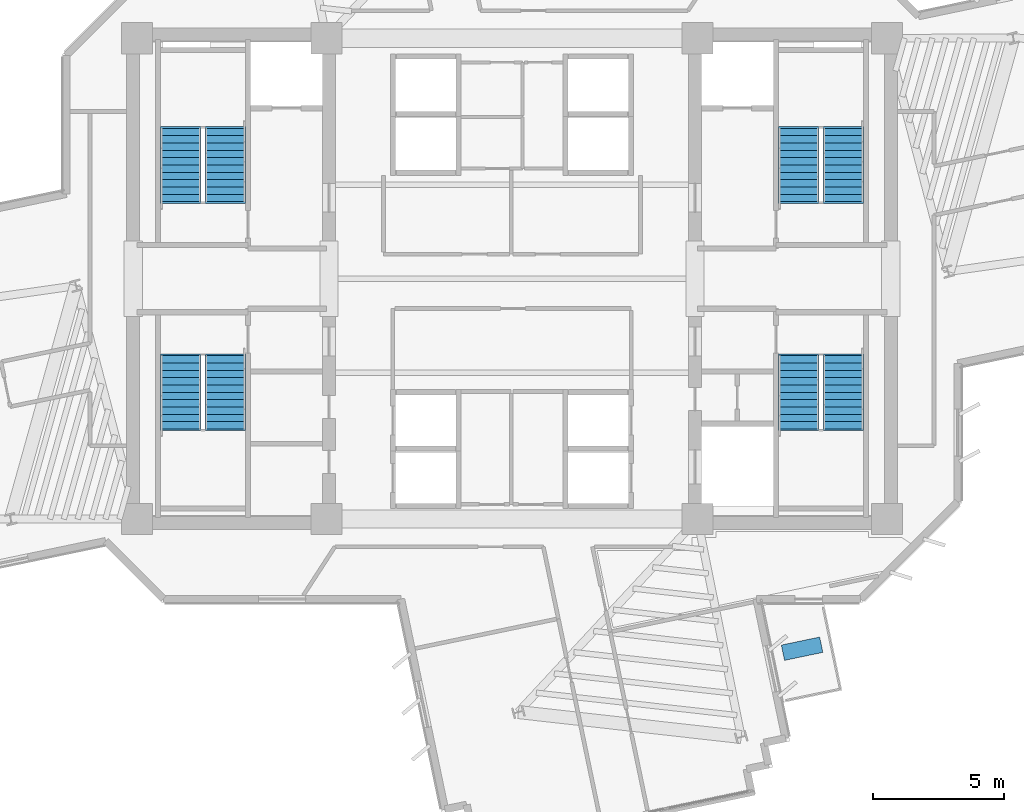
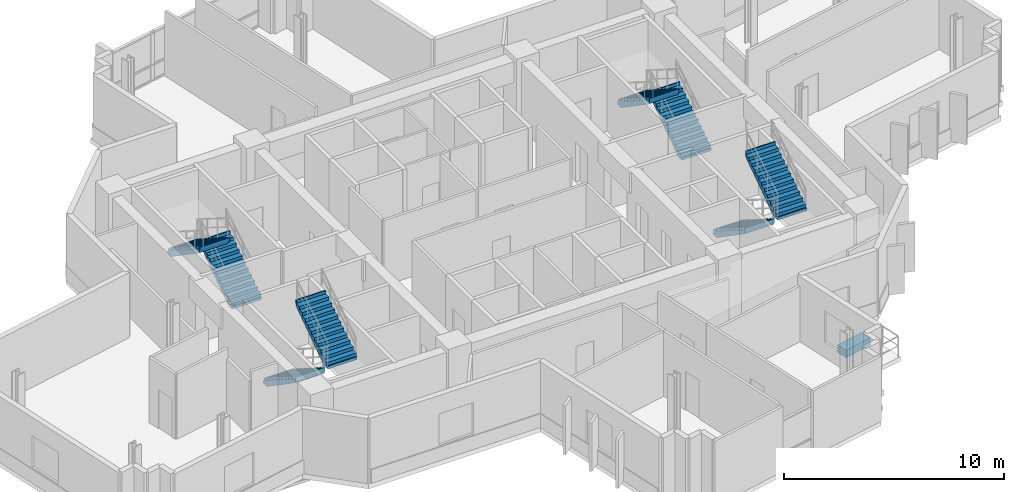
# One storey, part 11 of 14: 8 stair flights, 1 discrete accessory, 4 elements without a shape of their own.
"""IFC4 building model written with IfcOpenShell, lengths in metres."""

from ifc_helpers import new_model, si_unit, direction, frame, origin, origin_2d, place, context, subcontext, project, spatial, polyline, rectangle, outline, extrude, source, transform, mapped, material, type_object, element, aggregate, save


model = new_model("IFC4")

# Units and contexts
model_context = context("Model", 3, precision=1e-05, world=origin(), true_north=direction((0.0, 1.0)))
body_context = subcontext(model_context, "Body", "Model", "MODEL_VIEW")
ifc_project = project(units=[si_unit("LENGTHUNIT", "METRE"), si_unit("AREAUNIT", "SQUARE_METRE"), si_unit("VOLUMEUNIT", "CUBIC_METRE"), si_unit("PLANEANGLEUNIT", "RADIAN"), si_unit("MASSUNIT", "GRAM", prefix="KILO")], contexts=[model_context])

# Site, building, storey
site_placement = place(None, origin())
site = spatial("IfcSite", under=ifc_project, at=site_placement, CompositionType="ELEMENT")
building_placement = place(site_placement, origin())
building = spatial("IfcBuilding", under=site, at=building_placement, Name="Zahravan Cultural Tower", CompositionType="ELEMENT")
storey_placement = place(building_placement, frame((0.0, 0.0, 159.0)))
storey = spatial("IfcBuildingStorey", under=building, at=storey_placement, Name="L36", CompositionType="ELEMENT", Elevation=159.0)

# Stair, stair flights
ifc_material_1 = material(Name="Concrete C45/55", Category="concrete")
stair_type = type_object("IfcStairType", Name="STR-DL-1550-390", PredefinedType="HALF_TURN_STAIR", material=ifc_material_1)
stair_1_placement = place(storey_placement, origin())
stair_1 = element("IfcStair", 1, at=stair_1_placement, inside=storey, type_object=stair_type, Name="L36 West Core North Exit Stair ST-W1", PredefinedType="HALF_TURN_STAIR")
stair_flight_type = type_object("IfcStairFlightType", Name="FLG-DL-1550-390", PredefinedType="STRAIGHT", material=ifc_material_1)
stair_flight_1_placement = place(storey_placement, frame((25.02490234375, 29.949951171875, 0.0), z_axis=(0.0, 0.0, 1.0), x_axis=(0.0, 1.0, 0.0)))
stair_flight_1 = element("IfcStairFlight", 2, at=stair_flight_1_placement, type_object=stair_flight_type, Name="ST-W1 flight 1", NumberOfRisers=11, NumberOfTreads=10, PredefinedType="STRAIGHT", RiserHeight=0.177272727, TreadLength=0.28, context=body_context, shape_type="SweptSolid", body=[
    extrude(outline(polyline([(-0.06494140625, -0.139892578125), (-0.06494140625, 0.0), (0.0, 0.0), (0.0, 0.17724609375), (0.280029296875, 0.17724609375), (0.280029296875, 0.3544921875), (0.56005859375, 0.3544921875), (0.56005859375, 0.53173828125), (0.840087890625, 0.53173828125), (0.840087890625, 0.708984375), (1.1201171875, 0.708984375), (1.1201171875, 0.886474609375), (1.39990234375, 0.886474609375), (1.39990234375, 1.063720703125), (1.679931640625, 1.063720703125), (1.679931640625, 1.240966796875), (1.9599609375, 1.240966796875), (1.9599609375, 1.418212890625), (2.239990234375, 1.418212890625), (2.239990234375, 1.595458984375), (2.52001953125, 1.595458984375), (2.52001953125, 1.772705078125), (2.800048828125, 1.772705078125), (2.800048828125, 1.949951171875), (2.864990234375, 1.949951171875), (2.864990234375, 1.800048828125), (2.800048828125, 1.59521484375), (0.2802734375, -0.139892578125), (-0.06494140625, -0.139892578125)])), frame((0.0, 0.77490234375, 0.0), z_axis=(0.0, -1.0, 0.0), x_axis=(1.0, 0.0, 0.0)), (0.0, 0.0, 1.0), 1.550048828125),
])
stair_flight_2_placement = place(storey_placement, frame((23.324951171875, 32.75, 1.949951171875), z_axis=(0.0, 0.0, 1.0), x_axis=(0.0, -1.0, 0.0)))
stair_flight_2 = element("IfcStairFlight", 3, at=stair_flight_2_placement, type_object=stair_flight_type, Name="ST-W1 flight 2", NumberOfRisers=11, NumberOfTreads=10, PredefinedType="STRAIGHT", RiserHeight=0.177272727, TreadLength=0.28, context=body_context, shape_type="SweptSolid", body=[
    extrude(outline(polyline([(-0.06494140625, -0.139892578125), (-0.06494140625, 0.0), (0.0, 0.0), (0.0, 0.17724609375), (0.280029296875, 0.17724609375), (0.280029296875, 0.3544921875), (0.56005859375, 0.3544921875), (0.56005859375, 0.53173828125), (0.840087890625, 0.53173828125), (0.840087890625, 0.708984375), (1.1201171875, 0.708984375), (1.1201171875, 0.886474609375), (1.39990234375, 0.886474609375), (1.39990234375, 1.063720703125), (1.679931640625, 1.063720703125), (1.679931640625, 1.240966796875), (1.9599609375, 1.240966796875), (1.9599609375, 1.418212890625), (2.239990234375, 1.418212890625), (2.239990234375, 1.595458984375), (2.52001953125, 1.595458984375), (2.52001953125, 1.772705078125), (2.800048828125, 1.772705078125), (2.800048828125, 1.949951171875), (2.864990234375, 1.949951171875), (2.864990234375, 1.800048828125), (2.800048828125, 1.59521484375), (0.2802734375, -0.139892578125), (-0.06494140625, -0.139892578125)])), frame((0.0, 0.77490234375, 0.0), z_axis=(0.0, -1.0, 0.0), x_axis=(1.0, 0.0, 0.0)), (0.0, 0.0, 1.0), 1.550048828125),
])
aggregate(stair_1, [stair_flight_1, stair_flight_2])

stair_2_placement = place(storey_placement, origin())
stair_2 = element("IfcStair", 4, at=stair_2_placement, inside=storey, type_object=stair_type, Name="L36 West Core South Exit Stair ST-W2", PredefinedType="HALF_TURN_STAIR")
stair_flight_3_placement = place(storey_placement, frame((23.324951171875, 24.050048828125, 0.0), z_axis=(0.0, 0.0, 1.0), x_axis=(0.0, -1.0, 0.0)))
stair_flight_3 = element("IfcStairFlight", 5, at=stair_flight_3_placement, type_object=stair_flight_type, Name="ST-W2 flight 1", NumberOfRisers=11, NumberOfTreads=10, PredefinedType="STRAIGHT", RiserHeight=0.177272727, TreadLength=0.28, context=body_context, shape_type="SweptSolid", body=[
    extrude(outline(polyline([(-0.06494140625, -0.139892578125), (-0.06494140625, 0.0), (0.0, 0.0), (0.0, 0.17724609375), (0.280029296875, 0.17724609375), (0.280029296875, 0.3544921875), (0.56005859375, 0.3544921875), (0.56005859375, 0.53173828125), (0.840087890625, 0.53173828125), (0.840087890625, 0.708984375), (1.1201171875, 0.708984375), (1.1201171875, 0.886474609375), (1.39990234375, 0.886474609375), (1.39990234375, 1.063720703125), (1.679931640625, 1.063720703125), (1.679931640625, 1.240966796875), (1.9599609375, 1.240966796875), (1.9599609375, 1.418212890625), (2.239990234375, 1.418212890625), (2.239990234375, 1.595458984375), (2.52001953125, 1.595458984375), (2.52001953125, 1.772705078125), (2.800048828125, 1.772705078125), (2.800048828125, 1.949951171875), (2.864990234375, 1.949951171875), (2.864990234375, 1.800048828125), (2.800048828125, 1.59521484375), (0.2802734375, -0.139892578125), (-0.06494140625, -0.139892578125)])), frame((0.0, 0.77490234375, 0.0), z_axis=(0.0, -1.0, 0.0), x_axis=(1.0, 0.0, 0.0)), (0.0, 0.0, 1.0), 1.550048828125),
])
stair_flight_4_placement = place(storey_placement, frame((25.02490234375, 21.25, 1.949951171875), z_axis=(0.0, 0.0, 1.0), x_axis=(0.0, 1.0, 0.0)))
stair_flight_4 = element("IfcStairFlight", 6, at=stair_flight_4_placement, type_object=stair_flight_type, Name="ST-W2 flight 2", NumberOfRisers=11, NumberOfTreads=10, PredefinedType="STRAIGHT", RiserHeight=0.177272727, TreadLength=0.28, context=body_context, shape_type="SweptSolid", body=[
    extrude(outline(polyline([(-0.06494140625, -0.139892578125), (-0.06494140625, 0.0), (0.0, 0.0), (0.0, 0.17724609375), (0.280029296875, 0.17724609375), (0.280029296875, 0.3544921875), (0.56005859375, 0.3544921875), (0.56005859375, 0.53173828125), (0.840087890625, 0.53173828125), (0.840087890625, 0.708984375), (1.1201171875, 0.708984375), (1.1201171875, 0.886474609375), (1.39990234375, 0.886474609375), (1.39990234375, 1.063720703125), (1.679931640625, 1.063720703125), (1.679931640625, 1.240966796875), (1.9599609375, 1.240966796875), (1.9599609375, 1.418212890625), (2.239990234375, 1.418212890625), (2.239990234375, 1.595458984375), (2.52001953125, 1.595458984375), (2.52001953125, 1.772705078125), (2.800048828125, 1.772705078125), (2.800048828125, 1.949951171875), (2.864990234375, 1.949951171875), (2.864990234375, 1.800048828125), (2.800048828125, 1.59521484375), (0.2802734375, -0.139892578125), (-0.06494140625, -0.139892578125)])), frame((0.0, 0.77490234375, 0.0), z_axis=(0.0, -1.0, 0.0), x_axis=(1.0, 0.0, 0.0)), (0.0, 0.0, 1.0), 1.550048828125),
])
aggregate(stair_2, [stair_flight_3, stair_flight_4])

stair_3_placement = place(storey_placement, origin())
stair_3 = element("IfcStair", 7, at=stair_3_placement, inside=storey, type_object=stair_type, Name="L36 East Core North Exit Stair ST-E1", PredefinedType="HALF_TURN_STAIR")
stair_flight_5_placement = place(storey_placement, frame((48.675048828125, 29.949951171875, 0.0), z_axis=(0.0, 0.0, 1.0), x_axis=(0.0, 1.0, 0.0)))
stair_flight_5 = element("IfcStairFlight", 8, at=stair_flight_5_placement, type_object=stair_flight_type, Name="ST-E1 flight 1", NumberOfRisers=11, NumberOfTreads=10, PredefinedType="STRAIGHT", RiserHeight=0.177272727, TreadLength=0.28, context=body_context, shape_type="SweptSolid", body=[
    extrude(outline(polyline([(-0.06494140625, -0.139892578125), (-0.06494140625, 0.0), (0.0, 0.0), (0.0, 0.17724609375), (0.280029296875, 0.17724609375), (0.280029296875, 0.3544921875), (0.56005859375, 0.3544921875), (0.56005859375, 0.53173828125), (0.840087890625, 0.53173828125), (0.840087890625, 0.708984375), (1.1201171875, 0.708984375), (1.1201171875, 0.886474609375), (1.39990234375, 0.886474609375), (1.39990234375, 1.063720703125), (1.679931640625, 1.063720703125), (1.679931640625, 1.240966796875), (1.9599609375, 1.240966796875), (1.9599609375, 1.418212890625), (2.239990234375, 1.418212890625), (2.239990234375, 1.595458984375), (2.52001953125, 1.595458984375), (2.52001953125, 1.772705078125), (2.800048828125, 1.772705078125), (2.800048828125, 1.949951171875), (2.864990234375, 1.949951171875), (2.864990234375, 1.800048828125), (2.800048828125, 1.59521484375), (0.2802734375, -0.139892578125), (-0.06494140625, -0.139892578125)])), frame((0.0, 0.77490234375, 0.0), z_axis=(0.0, -1.0, 0.0), x_axis=(1.0, 0.0, 0.0)), (0.0, 0.0, 1.0), 1.550048828125),
])
stair_flight_6_placement = place(storey_placement, frame((46.97509765625, 32.75, 1.949951171875), z_axis=(0.0, 0.0, 1.0), x_axis=(0.0, -1.0, 0.0)))
stair_flight_6 = element("IfcStairFlight", 9, at=stair_flight_6_placement, type_object=stair_flight_type, Name="ST-E1 flight 2", NumberOfRisers=11, NumberOfTreads=10, PredefinedType="STRAIGHT", RiserHeight=0.177272727, TreadLength=0.28, context=body_context, shape_type="SweptSolid", body=[
    extrude(outline(polyline([(-0.06494140625, -0.139892578125), (-0.06494140625, 0.0), (0.0, 0.0), (0.0, 0.17724609375), (0.280029296875, 0.17724609375), (0.280029296875, 0.3544921875), (0.56005859375, 0.3544921875), (0.56005859375, 0.53173828125), (0.840087890625, 0.53173828125), (0.840087890625, 0.708984375), (1.1201171875, 0.708984375), (1.1201171875, 0.886474609375), (1.39990234375, 0.886474609375), (1.39990234375, 1.063720703125), (1.679931640625, 1.063720703125), (1.679931640625, 1.240966796875), (1.9599609375, 1.240966796875), (1.9599609375, 1.418212890625), (2.239990234375, 1.418212890625), (2.239990234375, 1.595458984375), (2.52001953125, 1.595458984375), (2.52001953125, 1.772705078125), (2.800048828125, 1.772705078125), (2.800048828125, 1.949951171875), (2.864990234375, 1.949951171875), (2.864990234375, 1.800048828125), (2.800048828125, 1.59521484375), (0.2802734375, -0.139892578125), (-0.06494140625, -0.139892578125)])), frame((0.0, 0.77490234375, 0.0), z_axis=(0.0, -1.0, 0.0), x_axis=(1.0, 0.0, 0.0)), (0.0, 0.0, 1.0), 1.550048828125),
])
aggregate(stair_3, [stair_flight_5, stair_flight_6])

stair_4_placement = place(storey_placement, origin())
stair_4 = element("IfcStair", 10, at=stair_4_placement, inside=storey, type_object=stair_type, Name="L36 East Core South Exit Stair ST-E2", PredefinedType="HALF_TURN_STAIR")
stair_flight_7_placement = place(storey_placement, frame((46.97509765625, 24.050048828125, 0.0), z_axis=(0.0, 0.0, 1.0), x_axis=(0.0, -1.0, 0.0)))
stair_flight_7 = element("IfcStairFlight", 11, at=stair_flight_7_placement, type_object=stair_flight_type, Name="ST-E2 flight 1", NumberOfRisers=11, NumberOfTreads=10, PredefinedType="STRAIGHT", RiserHeight=0.177272727, TreadLength=0.28, context=body_context, shape_type="SweptSolid", body=[
    extrude(outline(polyline([(-0.06494140625, -0.139892578125), (-0.06494140625, 0.0), (0.0, 0.0), (0.0, 0.17724609375), (0.280029296875, 0.17724609375), (0.280029296875, 0.3544921875), (0.56005859375, 0.3544921875), (0.56005859375, 0.53173828125), (0.840087890625, 0.53173828125), (0.840087890625, 0.708984375), (1.1201171875, 0.708984375), (1.1201171875, 0.886474609375), (1.39990234375, 0.886474609375), (1.39990234375, 1.063720703125), (1.679931640625, 1.063720703125), (1.679931640625, 1.240966796875), (1.9599609375, 1.240966796875), (1.9599609375, 1.418212890625), (2.239990234375, 1.418212890625), (2.239990234375, 1.595458984375), (2.52001953125, 1.595458984375), (2.52001953125, 1.772705078125), (2.800048828125, 1.772705078125), (2.800048828125, 1.949951171875), (2.864990234375, 1.949951171875), (2.864990234375, 1.800048828125), (2.800048828125, 1.59521484375), (0.2802734375, -0.139892578125), (-0.06494140625, -0.139892578125)])), frame((0.0, 0.77490234375, 0.0), z_axis=(0.0, -1.0, 0.0), x_axis=(1.0, 0.0, 0.0)), (0.0, 0.0, 1.0), 1.550048828125),
])
stair_flight_8_placement = place(storey_placement, frame((48.675048828125, 21.25, 1.949951171875), z_axis=(0.0, 0.0, 1.0), x_axis=(0.0, 1.0, 0.0)))
stair_flight_8 = element("IfcStairFlight", 12, at=stair_flight_8_placement, type_object=stair_flight_type, Name="ST-E2 flight 2", NumberOfRisers=11, NumberOfTreads=10, PredefinedType="STRAIGHT", RiserHeight=0.177272727, TreadLength=0.28, context=body_context, shape_type="SweptSolid", body=[
    extrude(outline(polyline([(-0.06494140625, -0.139892578125), (-0.06494140625, 0.0), (0.0, 0.0), (0.0, 0.17724609375), (0.280029296875, 0.17724609375), (0.280029296875, 0.3544921875), (0.56005859375, 0.3544921875), (0.56005859375, 0.53173828125), (0.840087890625, 0.53173828125), (0.840087890625, 0.708984375), (1.1201171875, 0.708984375), (1.1201171875, 0.886474609375), (1.39990234375, 0.886474609375), (1.39990234375, 1.063720703125), (1.679931640625, 1.063720703125), (1.679931640625, 1.240966796875), (1.9599609375, 1.240966796875), (1.9599609375, 1.418212890625), (2.239990234375, 1.418212890625), (2.239990234375, 1.595458984375), (2.52001953125, 1.595458984375), (2.52001953125, 1.772705078125), (2.800048828125, 1.772705078125), (2.800048828125, 1.949951171875), (2.864990234375, 1.949951171875), (2.864990234375, 1.800048828125), (2.800048828125, 1.59521484375), (0.2802734375, -0.139892578125), (-0.06494140625, -0.139892578125)])), frame((0.0, 0.77490234375, 0.0), z_axis=(0.0, -1.0, 0.0), x_axis=(1.0, 0.0, 0.0)), (0.0, 0.0, 1.0), 1.550048828125),
])
aggregate(stair_4, [stair_flight_7, stair_flight_8])

# Discrete accessory
ifc_material_2 = material(Name="Planted soil and terracotta planter", Category="masonry")
discrete_accessory_type = type_object("IfcDiscreteAccessoryType", Name="ACC-PLANTER-TC", PredefinedType="USERDEFINED", material=ifc_material_2)
shared_shape = source(origin(), body_context, "Body", "SweptSolid", [
    extrude(rectangle(XDim=1.5, YDim=0.60009765625, at=origin_2d()), origin(), (0.0, 0.0, 1.0), 0.419921875),
])
discrete_accessory_placement = place(storey_placement, frame((47.102783203125, 12.836669921875, 0.0), z_axis=(0.0, 0.0, 1.0), x_axis=(0.978938711712, 0.204154350213, 0.0)))
element("IfcDiscreteAccessory", 13, at=discrete_accessory_placement, inside=storey, type_object=discrete_accessory_type, Name="L36 Terracotta Sculpture Planter SE", ObjectType="PLANTER", PredefinedType="USERDEFINED", context=body_context, shape_type="MappedRepresentation", body=[
    mapped(shared_shape, transform((0.0, 0.0, 0.0), x_axis=(1.0, 0.0, 0.0), y_axis=(0.0, 1.0, 0.0), z_axis=(0.0, 0.0, 1.0), scale=1.0)),
])

save(model, "model.ifc")
